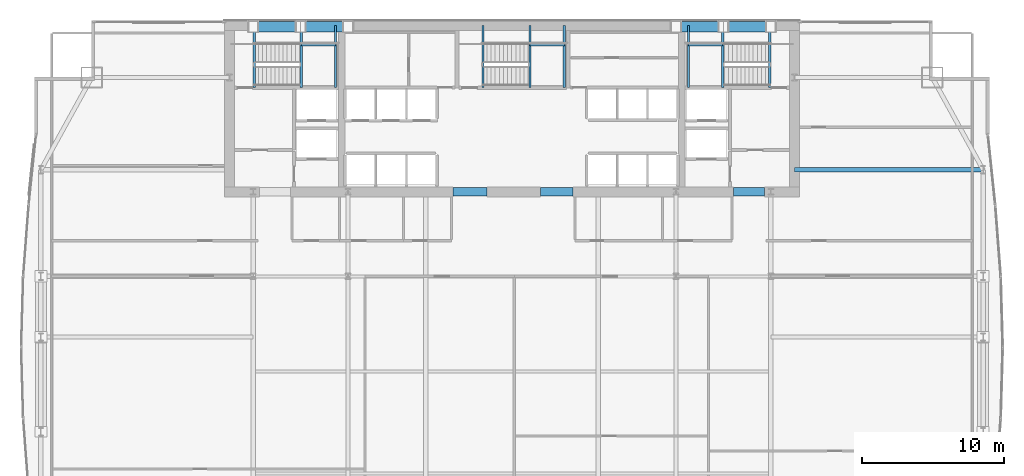
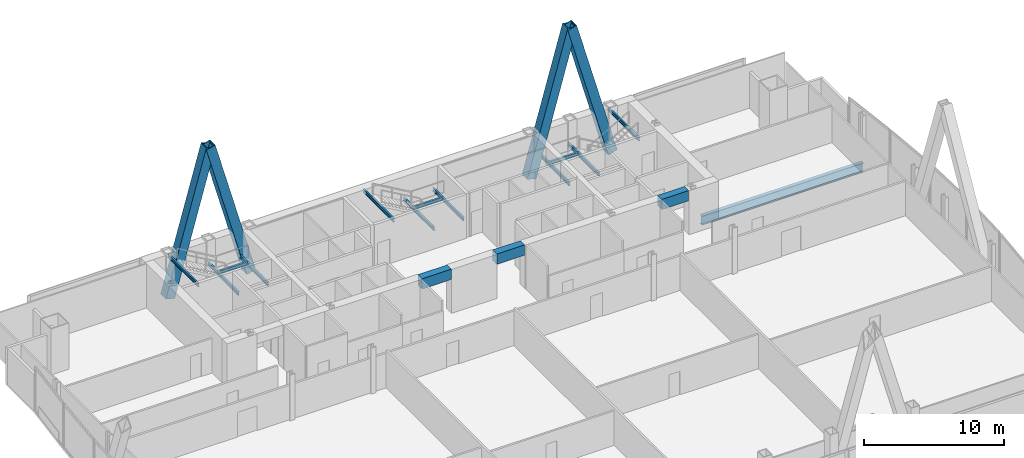
# One storey, part 20 of 32: 16 beams, 4 members.
"""IFC4 building model written with IfcOpenShell, lengths in metres."""

from ifc_helpers import new_model, si_unit, direction, frame, origin, origin_2d, place, context, subcontext, project, spatial, rectangle, hollow_rectangle, i_section, extrude, material, material_profile, profile_set, type_object, element, save


model = new_model("IFC4")

# Units and contexts
model_context = context("Model", 3, precision=1e-05, world=origin(), true_north=direction((0.0, 1.0)))
body_context = subcontext(model_context, "Body", "Model", "MODEL_VIEW")
ifc_project = project(units=[si_unit("LENGTHUNIT", "METRE"), si_unit("AREAUNIT", "SQUARE_METRE"), si_unit("VOLUMEUNIT", "CUBIC_METRE"), si_unit("PLANEANGLEUNIT", "RADIAN"), si_unit("MASSUNIT", "GRAM", prefix="KILO")], contexts=[model_context])

# Site, building, storey
site_placement = place(None, origin())
site = spatial("IfcSite", under=ifc_project, at=site_placement, CompositionType="ELEMENT")
building_placement = place(site_placement, origin())
building = spatial("IfcBuilding", under=site, at=building_placement, Name="Khoronbel Lancet Exchange", CompositionType="ELEMENT")
storey_placement = place(building_placement, frame((0.0, 0.0, 94.60009765625)))
storey = spatial("IfcBuildingStorey", under=building, at=storey_placement, Name="L22", CompositionType="ELEMENT", Elevation=94.60009765625)

# Beams
ifc_material_1 = material(Name="Steel S355", Category="steel")
ifc_material_profile_1 = material_profile(ifc_material_1, i_section(OverallWidth=0.300048828125, OverallDepth=0.800048828125, WebThickness=0.017578125, FlangeThickness=0.032958984375, at=origin_2d()), Name="HEB 800")
ifc_profile_set_1 = profile_set([ifc_material_profile_1], Name="Steel S355")
beam_type_1 = type_object("IfcBeamType", Name="BM-BG2", PredefinedType="BEAM", material=ifc_profile_set_1)
beam_1_placement = place(storey_placement, frame((56.35009765625, 43.199951171875, -0.580078125), z_axis=(1.0, 0.0, 0.0), x_axis=(0.0, 1.0, 0.0)))
element("IfcBeam", 1, at=beam_1_placement, inside=storey, type_object=beam_type_1, Name="Level L22 east lens tie girder LG3E", PredefinedType="BEAM", context=body_context, shape_type="SweptSolid", body=[
    extrude(i_section(OverallWidth=0.300048828125, OverallDepth=0.800048828125, WebThickness=0.017578125, FlangeThickness=0.032958984375, at=origin_2d()), origin(), (0.0, 0.0, 1.0), 13.27978515625),
])
ifc_material_profile_2 = material_profile(ifc_material_1, i_section(OverallWidth=0.14990234375, OverallDepth=0.300048828125, WebThickness=0.007080078125, FlangeThickness=0.0107421875, at=origin_2d()), Name="IPE 300")
ifc_profile_set_2 = profile_set([ifc_material_profile_2], Name="Steel S355")
beam_type_2 = type_object("IfcBeamType", Name="BM-BJ8", PredefinedType="JOIST", material=ifc_profile_set_2)
for number, where, z_axis, x_axis, name in (
    (2, (21.610107421875, 48.97998046875, 1.64990234375), (0.0, 1.0, 0.0), (-1.0, 0.0, 0.0), "Level L22 stair ST1 landing bearer beam 1"),
    (3, (24.030029296875, 48.97998046875, 1.64990234375), (0.0, 1.0, 0.0), (-1.0, 0.0, 0.0), "Level L22 stair ST1 rear landing bearer beam 1"),
):
    element("IfcBeam", number, at=place(storey_placement, frame(where, z_axis=z_axis, x_axis=x_axis)), inside=storey, type_object=beam_type_2, Name=name, PredefinedType="JOIST", context=body_context, shape_type="SweptSolid", body=[
        extrude(i_section(OverallWidth=0.14990234375, OverallDepth=0.300048828125, WebThickness=0.007080078125, FlangeThickness=0.0107421875, at=origin_2d()), origin(), (0.0, 0.0, 1.0), 4.3701171875),
    ])
beam_2_placement = place(storey_placement, frame((21.610107421875, 51.97998046875, 1.64990234375), z_axis=(1.0, 0.0, 0.0), x_axis=(0.0, 1.0, 0.0)))
element("IfcBeam", 4, at=beam_2_placement, inside=storey, type_object=beam_type_2, Name="Level L22 stair ST1 landing cross trimmer beam 1", PredefinedType="JOIST", context=body_context, shape_type="SweptSolid", body=[
    extrude(i_section(OverallWidth=0.14990234375, OverallDepth=0.300048828125, WebThickness=0.007080078125, FlangeThickness=0.0107421875, at=origin_2d()), origin(), (0.0, 0.0, 1.0), 2.419921875),
])
for number, where, z_axis, x_axis, name in (
    (5, (18.300048828125, 48.97998046875, 3.539794921875), (0.0, 1.0, 0.0), (-1.0, 0.0, 0.0), "Level L22 stair ST1 upper-flight arrival trimmer beam"),
    (6, (51.2900390625, 48.97998046875, 1.64990234375), (0.0, 1.0, 0.0), (-1.0, 0.0, 0.0), "Level L22 stair ST2 landing bearer beam 1"),
    (7, (48.8701171875, 48.97998046875, 1.64990234375), (0.0, 1.0, 0.0), (-1.0, 0.0, 0.0), "Level L22 stair ST2 rear landing bearer beam 1"),
):
    element("IfcBeam", number, at=place(storey_placement, frame(where, z_axis=z_axis, x_axis=x_axis)), inside=storey, type_object=beam_type_2, Name=name, PredefinedType="JOIST", context=body_context, shape_type="SweptSolid", body=[
        extrude(i_section(OverallWidth=0.14990234375, OverallDepth=0.300048828125, WebThickness=0.007080078125, FlangeThickness=0.0107421875, at=origin_2d()), origin(), (0.0, 0.0, 1.0), 4.3701171875),
    ])
beam_3_placement = place(storey_placement, frame((48.8701171875, 51.97998046875, 1.64990234375), z_axis=(1.0, 0.0, 0.0), x_axis=(0.0, 1.0, 0.0)))
element("IfcBeam", 8, at=beam_3_placement, inside=storey, type_object=beam_type_2, Name="Level L22 stair ST2 landing cross trimmer beam 1", PredefinedType="JOIST", context=body_context, shape_type="SweptSolid", body=[
    extrude(i_section(OverallWidth=0.14990234375, OverallDepth=0.300048828125, WebThickness=0.007080078125, FlangeThickness=0.0107421875, at=origin_2d()), origin(), (0.0, 0.0, 1.0), 2.419921875),
])
for number, where, z_axis, x_axis, name in (
    (9, (54.60009765625, 48.97998046875, 3.539794921875), (0.0, 1.0, 0.0), (-1.0, 0.0, 0.0), "Level L22 stair ST2 upper-flight arrival trimmer beam"),
    (10, (37.7099609375, 48.97998046875, 1.64990234375), (0.0, 1.0, 0.0), (-1.0, 0.0, 0.0), "Level L22 stair ST3 landing bearer beam 1"),
    (11, (40.1298828125, 48.97998046875, 1.64990234375), (0.0, 1.0, 0.0), (-1.0, 0.0, 0.0), "Level L22 stair ST3 rear landing bearer beam 1"),
):
    element("IfcBeam", number, at=place(storey_placement, frame(where, z_axis=z_axis, x_axis=x_axis)), inside=storey, type_object=beam_type_2, Name=name, PredefinedType="JOIST", context=body_context, shape_type="SweptSolid", body=[
        extrude(i_section(OverallWidth=0.14990234375, OverallDepth=0.300048828125, WebThickness=0.007080078125, FlangeThickness=0.0107421875, at=origin_2d()), origin(), (0.0, 0.0, 1.0), 4.3701171875),
    ])
beam_4_placement = place(storey_placement, frame((37.7099609375, 51.97998046875, 1.64990234375), z_axis=(1.0, 0.0, 0.0), x_axis=(0.0, 1.0, 0.0)))
element("IfcBeam", 12, at=beam_4_placement, inside=storey, type_object=beam_type_2, Name="Level L22 stair ST3 landing cross trimmer beam 1", PredefinedType="JOIST", context=body_context, shape_type="SweptSolid", body=[
    extrude(i_section(OverallWidth=0.14990234375, OverallDepth=0.300048828125, WebThickness=0.007080078125, FlangeThickness=0.0107421875, at=origin_2d()), origin(), (0.0, 0.0, 1.0), 2.419921875),
])
beam_5_placement = place(storey_placement, frame((34.39990234375, 48.97998046875, 3.539794921875), z_axis=(0.0, 1.0, 0.0), x_axis=(-1.0, 0.0, 0.0)))
element("IfcBeam", 13, at=beam_5_placement, inside=storey, type_object=beam_type_2, Name="Level L22 stair ST3 upper-flight arrival trimmer beam", PredefinedType="JOIST", context=body_context, shape_type="SweptSolid", body=[
    extrude(i_section(OverallWidth=0.14990234375, OverallDepth=0.300048828125, WebThickness=0.007080078125, FlangeThickness=0.0107421875, at=origin_2d()), origin(), (0.0, 0.0, 1.0), 4.3701171875),
])
ifc_material_2 = material(Name="Concrete C80/95", Category="concrete")
ifc_material_profile_3 = material_profile(ifc_material_2, rectangle(XDim=0.60009765625, YDim=0.89990234375, at=origin_2d()), Name="RC 600x900")
ifc_profile_set_3 = profile_set([ifc_material_profile_3], Name="Concrete C80/95")
beam_type_3 = type_object("IfcBeamType", Name="BM-BL1", PredefinedType="LINTEL", material=ifc_profile_set_3)
beam_6_placement = place(storey_placement, frame((32.300048828125, 41.64990234375, 3.369873046875), z_axis=(1.0, 0.0, 0.0), x_axis=(0.0, 1.0, 0.0)))
element("IfcBeam", 14, at=beam_6_placement, inside=storey, type_object=beam_type_3, Name="Level L22 rear core coupling lintel L2", PredefinedType="LINTEL", context=body_context, shape_type="SweptSolid", body=[
    extrude(rectangle(XDim=0.60009765625, YDim=0.89990234375, at=origin_2d()), origin(), (0.0, 0.0, 1.0), 2.39990234375),
])
beam_7_placement = place(storey_placement, frame((38.449951171875, 41.64990234375, 3.369873046875), z_axis=(1.0, 0.0, 0.0), x_axis=(0.0, 1.0, 0.0)))
element("IfcBeam", 15, at=beam_7_placement, inside=storey, type_object=beam_type_3, Name="Level L22 rear core coupling lintel L3", PredefinedType="LINTEL", context=body_context, shape_type="SweptSolid", body=[
    extrude(rectangle(XDim=0.60009765625, YDim=0.89990234375, at=origin_2d()), origin(), (0.0, 0.0, 1.0), 2.300048828125),
])
beam_8_placement = place(storey_placement, frame((52.050048828125, 41.64990234375, 3.369873046875), z_axis=(1.0, 0.0, 0.0), x_axis=(0.0, 1.0, 0.0)))
element("IfcBeam", 16, at=beam_8_placement, inside=storey, type_object=beam_type_3, Name="Level L22 rear core coupling lintel L4", PredefinedType="LINTEL", context=body_context, shape_type="SweptSolid", body=[
    extrude(rectangle(XDim=0.60009765625, YDim=0.89990234375, at=origin_2d()), origin(), (0.0, 0.0, 1.0), 2.199951171875),
])

# Members
ifc_material_3 = material(Name="Steel S460", Category="steel")
ifc_material_profile_4 = material_profile(ifc_material_3, hollow_rectangle(XDim=0.760009765625, YDim=0.760009765625, WallThickness=0.054931640625, at=origin_2d()), Name="BOX 760x760x55")
ifc_profile_set_4 = profile_set([ifc_material_profile_4], Name="Steel S460")
member_type = type_object("IfcMemberType", Name="MEM-MB1", PredefinedType="BRACE", material=ifc_profile_set_4)
for number, where, z_axis, x_axis, name in (
    (17, (18.22509765625, 53.280029296875, 0.0), (0.267947134133, 0.0, 0.963433616452), (0.0, 1.0, 0.0), "Perimeter lancet brace tier 7 N-W-L"),
    (18, (24.89990234375, 53.280029296875, 0.0), (-0.267947134133, 0.0, 0.963433616452), (0.0, -1.0, 0.0), "Perimeter lancet brace tier 7 N-W-R"),
    (19, (48.0, 53.280029296875, 0.0), (0.267947134133, 0.0, 0.963433616452), (0.0, 1.0, 0.0), "Perimeter lancet brace tier 7 N-E-L"),
    (20, (54.675048828125, 53.280029296875, 0.0), (-0.267965327822, 0.0, 0.963428556295), (0.0, -1.0, 0.0), "Perimeter lancet brace tier 7 N-E-R"),
):
    element("IfcMember", number, at=place(storey_placement, frame(where, z_axis=z_axis, x_axis=x_axis)), inside=storey, type_object=member_type, Name=name, PredefinedType="BRACE", context=body_context, shape_type="SweptSolid", body=[
        extrude(hollow_rectangle(XDim=0.760009765625, YDim=0.760009765625, WallThickness=0.054931640625, at=origin_2d()), origin(), (0.0, 0.0, 1.0), 12.45556640625),
    ])

save(model, "model.ifc")
